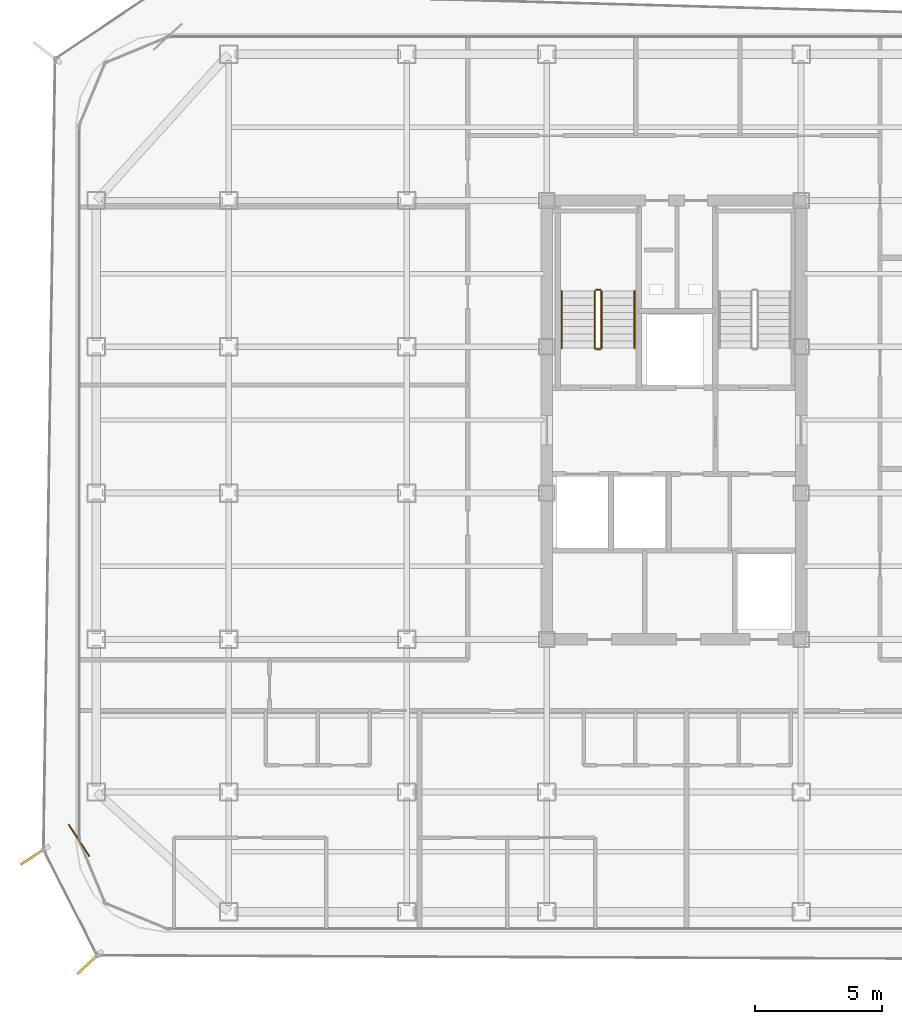
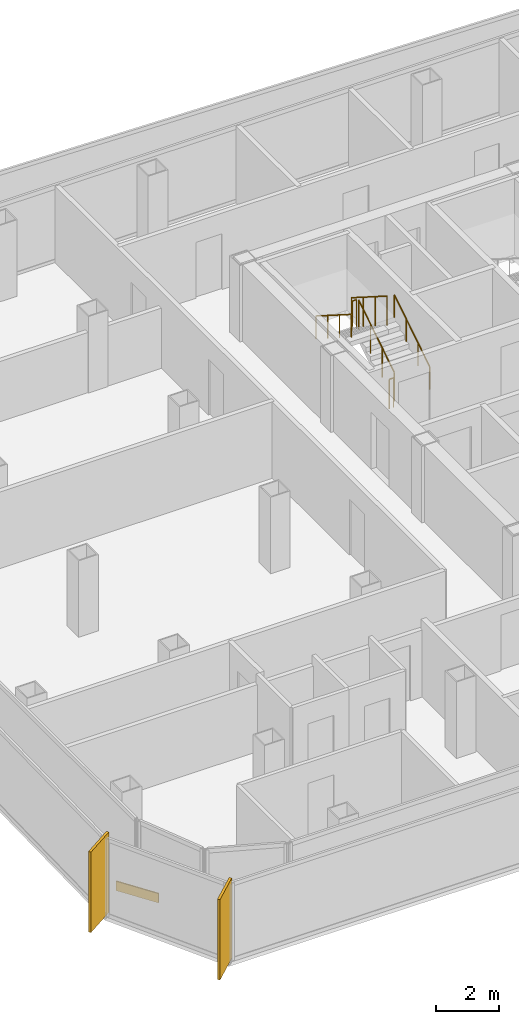
# One storey, part 14 of 16: 6 railings, 2 shading devices, 1 covering.
"""IFC4 building model written with IfcOpenShell, lengths in metres."""

from ifc_helpers import new_model, si_unit, direction, frame, origin, origin_2d, place, context, subcontext, project, spatial, rectangle, circle, extrude, source, transform, mapped, material, layer, layer_set, type_object, element, save


model = new_model("IFC4")

# Units and contexts
model_context = context("Model", 3, precision=1e-05, world=origin(), true_north=direction((0.0, 1.0)))
body_context = subcontext(model_context, "Body", "Model", "MODEL_VIEW")
ifc_project = project(units=[si_unit("LENGTHUNIT", "METRE"), si_unit("AREAUNIT", "SQUARE_METRE"), si_unit("VOLUMEUNIT", "CUBIC_METRE"), si_unit("PLANEANGLEUNIT", "RADIAN"), si_unit("MASSUNIT", "GRAM", prefix="KILO")], contexts=[model_context])

# Site, building, storey
site_placement = place(None, origin())
site = spatial("IfcSite", under=ifc_project, at=site_placement, CompositionType="ELEMENT")
building_placement = place(site_placement, origin())
building = spatial("IfcBuilding", under=site, at=building_placement, Name="Kolveth Station Tower", CompositionType="ELEMENT")
storey_placement = place(building_placement, frame((0.0, 0.0, 175.300048828125)))
storey = spatial("IfcBuildingStorey", under=building, at=storey_placement, Name="L49", CompositionType="ELEMENT", Elevation=175.300048828125)

# Railings
ifc_material_1 = material(Name="Painted Steel S355 balustrade", Category="steel")
railing_type_1 = type_object("IfcRailingType", Name="Guard_GR2", PredefinedType="BALUSTRADE", material=ifc_material_1)
railing_1_placement = place(storey_placement, frame((20.64990234375, 22.949951171875, 0.177734375)))
element("IfcRailing", 1, at=railing_1_placement, inside=storey, type_object=railing_type_1, Name="L49 ST1 stair guard 1", PredefinedType="BALUSTRADE", context=body_context, shape_type="SweptSolid", body=[
    extrude(circle(Radius=0.02392578125, at=origin_2d()), frame((0.0, 0.0, 1.1259765625), z_axis=(0.0, 0.8442293374, 0.53598211339), x_axis=(-1.0, 0.0, 0.0)), (0.0, 0.0, 1.0), 2.6533203125),
    extrude(circle(Radius=0.02099609375, at=origin_2d()), origin(), (0.0, 0.0, 1.0), 1.101806640625),
    extrude(circle(Radius=0.02099609375, at=origin_2d()), frame((0.0, 0.74658203125, 0.47412109375)), (0.0, 0.0, 1.0), 1.101806640625),
    extrude(circle(Radius=0.02099609375, at=origin_2d()), frame((0.0, 1.493408203125, 0.947998046875)), (0.0, 0.0, 1.0), 1.101806640625),
    extrude(circle(Radius=0.02099609375, at=origin_2d()), frame((0.0, 2.239990234375, 1.422119140625)), (0.0, 0.0, 1.0), 1.101806640625),
])
railing_2_placement = place(storey_placement, frame((20.60009765625, 25.239990234375, 1.599853515625)))
element("IfcRailing", 2, at=railing_2_placement, inside=storey, type_object=railing_type_1, Name="L49 ST1 stair guard 2", PredefinedType="BALUSTRADE", context=body_context, shape_type="SweptSolid", body=[
    extrude(circle(Radius=0.02392578125, at=origin_2d()), frame((0.0, 0.0, 1.1259765625), z_axis=(-1.0, 0.0, 0.0), x_axis=(0.0, -1.0, 0.0)), (0.0, 0.0, 1.0), 0.16015625),
    extrude(circle(Radius=0.02099609375, at=origin_2d()), origin(), (0.0, 0.0, 1.0), 1.101806640625),
    extrude(circle(Radius=0.02099609375, at=origin_2d()), frame((-0.16015625, 0.0, 0.0)), (0.0, 0.0, 1.0), 1.101806640625),
])
railing_3_placement = place(storey_placement, frame((20.389892578125, 25.18994140625, 1.77783203125)))
element("IfcRailing", 3, at=railing_3_placement, inside=storey, type_object=railing_type_1, Name="L49 ST1 stair guard 3", PredefinedType="BALUSTRADE", context=body_context, shape_type="SweptSolid", body=[
    extrude(circle(Radius=0.02392578125, at=origin_2d()), frame((0.0, 0.0, 1.1259765625), z_axis=(0.0, -0.8442293374, 0.53598211339), x_axis=(1.0, 0.0, 0.0)), (0.0, 0.0, 1.0), 2.6533203125),
    extrude(circle(Radius=0.02099609375, at=origin_2d()), origin(), (0.0, 0.0, 1.0), 1.101806640625),
    extrude(circle(Radius=0.02099609375, at=origin_2d()), frame((0.0, -0.74658203125, 0.47412109375)), (0.0, 0.0, 1.0), 1.101806640625),
    extrude(circle(Radius=0.02099609375, at=origin_2d()), frame((0.0, -1.493408203125, 0.947998046875)), (0.0, 0.0, 1.0), 1.101806640625),
    extrude(circle(Radius=0.02099609375, at=origin_2d()), frame((0.0, -2.239990234375, 1.422119140625)), (0.0, 0.0, 1.0), 1.101806640625),
])
railing_4_placement = place(storey_placement, frame((20.60009765625, 22.89990234375, 0.0)))
element("IfcRailing", 4, at=railing_4_placement, inside=storey, type_object=railing_type_1, Name="L49 ST1 stair guard 4", PredefinedType="BALUSTRADE", context=body_context, shape_type="SweptSolid", body=[
    extrude(circle(Radius=0.02392578125, at=origin_2d()), frame((0.0, 0.0, 1.1259765625), z_axis=(-1.0, 0.0, 0.0), x_axis=(0.0, -1.0, 0.0)), (0.0, 0.0, 1.0), 0.16015625),
    extrude(circle(Radius=0.02099609375, at=origin_2d()), origin(), (0.0, 0.0, 1.0), 1.101806640625),
    extrude(circle(Radius=0.02099609375, at=origin_2d()), frame((-0.16015625, 0.0, 0.0)), (0.0, 0.0, 1.0), 1.101806640625),
])
ifc_material_2 = material(Name="Brushed stainless steel", Category="steel")
railing_type_2 = type_object("IfcRailingType", Name="Handrail_HR1", PredefinedType="HANDRAIL", material=ifc_material_2)
railing_5_placement = place(storey_placement, frame((21.949951171875, 22.949951171875, 0.177734375)))
element("IfcRailing", 5, at=railing_5_placement, inside=storey, type_object=railing_type_2, Name="L49 ST1 stair handrail 1", PredefinedType="HANDRAIL", context=body_context, shape_type="SweptSolid", body=[
    extrude(circle(Radius=0.02392578125, at=origin_2d()), frame((0.0, 0.0, 0.8759765625), z_axis=(0.0, 0.8442293374, 0.53598211339), x_axis=(-1.0, 0.0, 0.0)), (0.0, 0.0, 1.0), 2.6533203125),
    extrude(circle(Radius=0.02099609375, at=origin_2d()), origin(), (0.0, 0.0, 1.0), 0.851806640625),
    extrude(circle(Radius=0.02099609375, at=origin_2d()), frame((0.0, 0.74658203125, 0.47412109375)), (0.0, 0.0, 1.0), 0.851806640625),
    extrude(circle(Radius=0.02099609375, at=origin_2d()), frame((0.0, 1.493408203125, 0.947998046875)), (0.0, 0.0, 1.0), 0.851806640625),
    extrude(circle(Radius=0.02099609375, at=origin_2d()), frame((0.0, 2.239990234375, 1.422119140625)), (0.0, 0.0, 1.0), 0.851806640625),
])
railing_6_placement = place(storey_placement, frame((19.090087890625, 25.18994140625, 1.77783203125)))
element("IfcRailing", 6, at=railing_6_placement, inside=storey, type_object=railing_type_2, Name="L49 ST1 stair handrail 2", PredefinedType="HANDRAIL", context=body_context, shape_type="SweptSolid", body=[
    extrude(circle(Radius=0.02392578125, at=origin_2d()), frame((0.0, 0.0, 0.8759765625), z_axis=(0.0, -0.8442293374, 0.53598211339), x_axis=(1.0, 0.0, 0.0)), (0.0, 0.0, 1.0), 2.6533203125),
    extrude(circle(Radius=0.02099609375, at=origin_2d()), origin(), (0.0, 0.0, 1.0), 0.851806640625),
    extrude(circle(Radius=0.02099609375, at=origin_2d()), frame((0.0, -0.74658203125, 0.47412109375)), (0.0, 0.0, 1.0), 0.851806640625),
    extrude(circle(Radius=0.02099609375, at=origin_2d()), frame((0.0, -1.493408203125, 0.947998046875)), (0.0, 0.0, 1.0), 0.851806640625),
    extrude(circle(Radius=0.02099609375, at=origin_2d()), frame((0.0, -2.239990234375, 1.422119140625)), (0.0, 0.0, 1.0), 0.851806640625),
])

# Shading devices
ifc_material_3 = material(Name="Black anodized aluminium 6063-T6", Category="aluminium")
shading_device_type = type_object("IfcShadingDeviceType", Name="FIN_VF1", PredefinedType="USERDEFINED", material=ifc_material_3)
shared_shape_1 = source(origin(), body_context, "Body", "SweptSolid", [
    extrude(rectangle(XDim=1.25, YDim=0.090087890625, at=origin_2d()), origin(), (0.0, 0.0, 1.0), 3.10009765625),
])
for number, where, z_axis, x_axis, name in (
    (7, (-1.653076171875, 2.990966796875, 0.0), (0.0, 0.0, 1.0), (-0.838480401967, -0.544931753083, 0.0), "L49 Dark-Aluminium Solar Fin 7"),
    (8, (0.50390625, -1.22998046875, 0.0), (0.0, 0.0, 1.0), (-0.733848438205, -0.679313233894, 0.0), "L49 Dark-Aluminium Solar Fin 8"),
):
    element("IfcShadingDevice", number, at=place(storey_placement, frame(where, z_axis=z_axis, x_axis=x_axis)), inside=storey, type_object=shading_device_type, Name=name, ObjectType="FIN", PredefinedType="USERDEFINED", context=body_context, shape_type="MappedRepresentation", body=[
        mapped(shared_shape_1, transform((0.0, 0.0, 0.0), x_axis=(1.0, 0.0, 0.0), y_axis=(0.0, 1.0, 0.0), z_axis=(0.0, 0.0, 1.0), scale=1.0)),
    ])

# Covering
ifc_material_4 = material(Name="Charcoal anodized aluminium spandrel cladding", Category="aluminium")
ifc_layer = layer(ifc_material_4, 0.044921875)
ifc_layer_set = layer_set([ifc_layer], Name="Charcoal anodized aluminium spandrel cladding")
covering_type = type_object("IfcCoveringType", Name="Clad_CD1", PredefinedType="CLADDING", material=ifc_layer_set)
shared_shape_2 = source(origin(), body_context, "Body", "SweptSolid", [
    extrude(rectangle(XDim=1.5, YDim=0.044921875, at=origin_2d()), origin(), (0.0, 0.0, 1.0), 0.360107421875),
])
covering_placement = place(storey_placement, frame((0.1201171875, 3.60009765625, 0.0), z_axis=(0.0, 0.0, 1.0), x_axis=(0.544931753083, -0.838480401967, 0.0)))
element("IfcCovering", 9, at=covering_placement, inside=storey, type_object=covering_type, Name="L49 Spandrel Edge Cladding 7", PredefinedType="CLADDING", context=body_context, shape_type="MappedRepresentation", body=[
    mapped(shared_shape_2, transform((0.0, 0.0, 0.0), x_axis=(1.0, 0.0, 0.0), y_axis=(0.0, 1.0, 0.0), z_axis=(0.0, 0.0, 1.0), scale=1.0)),
])

save(model, "model.ifc")
